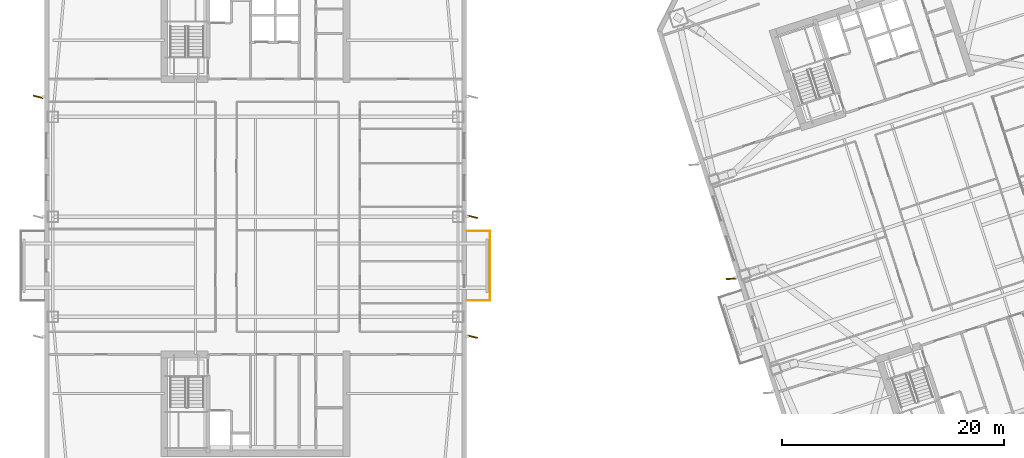
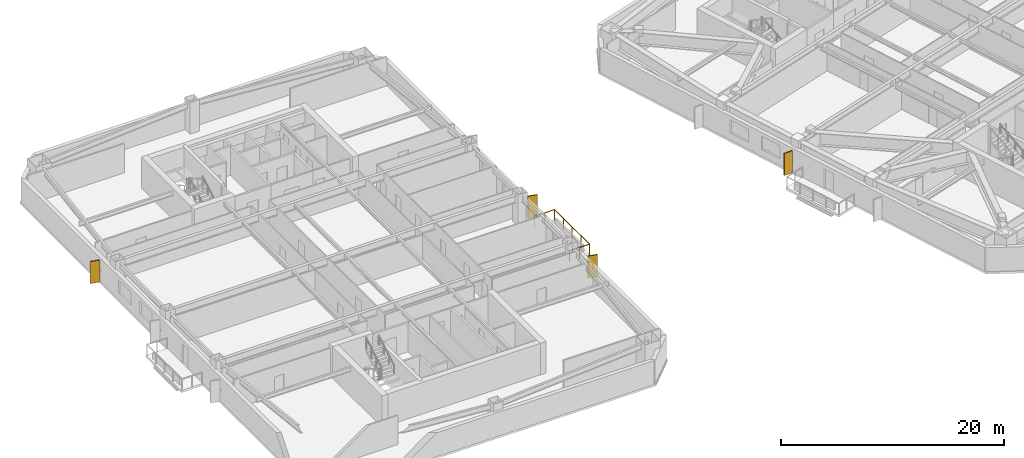
# One storey, part 14 of 17: 4 shading devices, 1 railing.
"""IFC4 building model written with IfcOpenShell, lengths in metres."""

import ifcopenshell
import ifcopenshell.guid

model = None  # the IFC model being written
_history = None  # IfcOwnerHistory: only IFC2X3 demands one
_inside = {}  # id of a spatial element -> (the spatial element, [elements in it])
_under = {}  # id of a project, library or spatial element -> (it, [spatial elements below it])
_declared = {}  # id of a project -> (the project, [libraries it declares])
_typed = {}  # id of a type object -> (the type object, [elements of that type])
_made_of = {}  # id of a material, layer set ... -> (it, [elements and type objects made of it])


def new_model(schema):
    """Start an empty IFC model of exactly this schema.

    Asked for "IFC4X3", IfcOpenShell would pick the latest addendum, in which some entities
    have other attributes; the version numbers below select the first issue.
    IFC2X3 requires an IfcOwnerHistory on every rooted entity: one is made here for all.
    """
    global model, _history
    if schema == "IFC4X3":
        model = ifcopenshell.file(schema_version=(4, 3, 0, 0))
    else:
        model = ifcopenshell.file(schema=schema)
    _inside.clear()
    _under.clear()
    _declared.clear()
    _typed.clear()
    _made_of.clear()
    _history = None
    if model.schema == "IFC2X3":
        org = make("IfcOrganization", Name="unknown")
        user = make(
            "IfcPersonAndOrganization",
            ThePerson=make("IfcPerson", FamilyName="unknown"),
            TheOrganization=org,
        )
        app = make(
            "IfcApplication",
            ApplicationDeveloper=org,
            Version="unknown",
            ApplicationFullName="unknown",
            ApplicationIdentifier="unknown",
        )
        _history = make(
            "IfcOwnerHistory",
            OwningUser=user,
            OwningApplication=app,
            ChangeAction="ADDED",
            CreationDate=0,
        )
    return model


def make(cls, **values):
    """One entity of the class cls with the attributes given. An attribute that is None is left unset."""
    return model.create_entity(
        cls, **{name: value for name, value in values.items() if value is not None}
    )


def rooted(cls, **values):
    """An entity with a GlobalId (a new one), such as an element, a storey or a relation."""
    return make(cls, GlobalId=ifcopenshell.guid.new(), OwnerHistory=_history, **values)


def si_unit(unit_type, name, prefix=None):
    """IfcSIUnit, for example si_unit("LENGTHUNIT", "METRE", prefix="MILLI")."""
    return make("IfcSIUnit", UnitType=unit_type, Prefix=prefix, Name=name)


def assignment(units):
    """IfcUnitAssignment: the units of a project."""
    return None if units is None else make("IfcUnitAssignment", Units=units)


def point(xyz):
    """IfcCartesianPoint."""
    return None if xyz is None else make("IfcCartesianPoint", Coordinates=xyz)


def direction(xyz):
    """IfcDirection."""
    return None if xyz is None else make("IfcDirection", DirectionRatios=xyz)


def frame(location, z_axis=None, x_axis=None):
    """IfcAxis2Placement3D, a coordinate frame: its origin and axes. An axis left out is left unset."""
    return make(
        "IfcAxis2Placement3D",
        Location=point(location),
        Axis=direction(z_axis),
        RefDirection=direction(x_axis),
    )


def frame_2d(location, x_axis=None):
    """IfcAxis2Placement2D, a coordinate frame in the plane: its origin and x axis."""
    return make(
        "IfcAxis2Placement2D", Location=point(location), RefDirection=direction(x_axis)
    )


def origin():
    """The frame at (0, 0, 0) with its axes left unset."""
    return frame((0.0, 0.0, 0.0))


def origin_2d():
    """The frame at (0, 0) in the plane with its x axis left unset."""
    return frame_2d((0.0, 0.0))


def place(relative_to, where):
    """IfcLocalPlacement: puts the frame where relative to a parent placement (None: the world)."""
    return make(
        "IfcLocalPlacement", PlacementRelTo=relative_to, RelativePlacement=where
    )


def context(
    kind, dimensions, precision=None, world=None, true_north=None, identifier=None
):
    """IfcGeometricRepresentationContext, for example the 3D "Model" context."""
    return make(
        "IfcGeometricRepresentationContext",
        ContextIdentifier=identifier,
        ContextType=kind,
        CoordinateSpaceDimension=dimensions,
        Precision=precision,
        WorldCoordinateSystem=world,
        TrueNorth=true_north,
    )


def subcontext(parent, identifier, kind, view, scale=None):
    """IfcGeometricRepresentationSubContext, for example "Body" below "Model"."""
    return make(
        "IfcGeometricRepresentationSubContext",
        ContextIdentifier=identifier,
        ContextType=kind,
        ParentContext=parent,
        TargetScale=scale,
        TargetView=view,
    )


def project(units=None, contexts=None):
    """IfcProject with its units and contexts."""
    return rooted(
        "IfcProject",
        Name="project",
        RepresentationContexts=contexts,
        UnitsInContext=assignment(units),
    )


def spatial(cls, under=None, at=None, **own):
    """A site, building, storey or space (cls), placed at a placement, below another one or the project."""
    s = rooted(cls, ObjectPlacement=at, **own)
    if under is not None:
        _under.setdefault(under.id(), (under, []))[1].append(s)
    return s


def profile(cls, at=None, kind="AREA", **sizes):
    """A parametric profile (cls). Its sizes go by their IFC names, for example OverallWidth=200.0."""
    return make(cls, ProfileType=kind, Position=at, **sizes)


def rectangle(**sizes):
    """IfcRectangleProfileDef."""
    return profile("IfcRectangleProfileDef", **sizes)


def circle(**sizes):
    """IfcCircleProfileDef."""
    return profile("IfcCircleProfileDef", **sizes)


def extrude(swept, where, along, depth):
    """IfcExtrudedAreaSolid: the profile swept, set in the frame where, extruded along a direction by depth."""
    return make(
        "IfcExtrudedAreaSolid",
        SweptArea=swept,
        Position=where,
        ExtrudedDirection=direction(along),
        Depth=depth,
    )


def shape(context_of_items, identifier, shape_type, items):
    """IfcShapeRepresentation: the items that make up one representation, for example the "Body"."""
    return make(
        "IfcShapeRepresentation",
        ContextOfItems=context_of_items,
        RepresentationIdentifier=identifier,
        RepresentationType=shape_type,
        Items=items,
    )


def material(Name=None, Category=None):
    """IfcMaterial."""
    return make("IfcMaterial", Name=Name, Category=Category)


def layer(
    of_material, thickness, ventilated=None, Name=None, Category=None, Priority=None
):
    """IfcMaterialLayer: one layer of a wall or slab, of a material (None: an air gap)."""
    return make(
        "IfcMaterialLayer",
        Material=of_material,
        LayerThickness=thickness,
        IsVentilated=ventilated,
        Name=Name,
        Category=Category,
        Priority=Priority,
    )


def layer_set(layers, Name=None):
    """IfcMaterialLayerSet."""
    return make("IfcMaterialLayerSet", MaterialLayers=layers, LayerSetName=Name)


def made_of(thing, what):
    """Note that an element or type object is made of a material, layer set ...; save() writes the relation."""
    if what is not None:
        _made_of.setdefault(what.id(), (what, []))[1].append(thing)
    return thing


def type_object(cls, material=None, **own):
    """A type object (cls), such as IfcWallType, which elements share."""
    return made_of(rooted(cls, **own), material)


def element(
    cls,
    number,
    at=None,
    inside=None,
    cuts=None,
    type_object=None,
    material=None,
    context=None,
    identifier="Body",
    shape_type=None,
    held_by="IfcProductDefinitionShape",
    body=None,
    shapes=None,
    **own,
):
    """One element of the class cls, such as IfcWall. Its Tag is "e" and its number.

    at: its placement. inside: the storey or other place that contains it. cuts: it is an
    opening in that element (IfcRelVoidsElement). A single representation is given by context,
    identifier, shape_type and body (its items); several are given by shapes. held_by: the class
    of the entity that holds the representations. save() writes the other relations.
    """
    e = rooted(cls, Tag="e%d" % number, ObjectPlacement=at, **own)
    if body is not None:
        shapes = [shape(context, identifier, shape_type, body)]
    if shapes is not None:
        e.Representation = make(held_by, Representations=shapes)
    if inside is not None:
        _inside.setdefault(inside.id(), (inside, []))[1].append(e)
    if cuts is not None:
        rooted(
            "IfcRelVoidsElement", RelatingBuildingElement=cuts, RelatedOpeningElement=e
        )
    if type_object is not None:
        _typed.setdefault(type_object.id(), (type_object, []))[1].append(e)
    return made_of(e, material)


def aggregate(whole, parts):
    """IfcRelAggregates: a whole, such as a stair, and the parts it consists of."""
    return rooted("IfcRelAggregates", RelatingObject=whole, RelatedObjects=parts)


def save(model, path):
    """Write the relations noted so far, then the file.

    IfcRelAggregates (storeys below a building ...), IfcRelContainedInSpatialStructure (elements
    in a storey), IfcRelDefinesByType, IfcRelAssociatesMaterial and IfcRelDeclares: one each for
    every whole, place, type object, material and project.
    """
    for whole, parts in _under.values():
        aggregate(whole, parts)
    for where, things in _inside.values():
        rooted(
            "IfcRelContainedInSpatialStructure",
            RelatedElements=things,
            RelatingStructure=where,
        )
    for kind, things in _typed.values():
        rooted("IfcRelDefinesByType", RelatedObjects=things, RelatingType=kind)
    for what, things in _made_of.values():
        rooted("IfcRelAssociatesMaterial", RelatedObjects=things, RelatingMaterial=what)
    for by, libraries in _declared.values():
        rooted("IfcRelDeclares", RelatingContext=by, RelatedDefinitions=libraries)
    model.write(path)


model = new_model("IFC4")

# Units and contexts
model_context = context("Model", 3, precision=1e-05, world=origin(), true_north=direction((0.0, 1.0)))
body_context = subcontext(model_context, "Body", "Model", "MODEL_VIEW")
ifc_project = project(units=[si_unit("LENGTHUNIT", "METRE"), si_unit("AREAUNIT", "SQUARE_METRE"), si_unit("VOLUMEUNIT", "CUBIC_METRE"), si_unit("PLANEANGLEUNIT", "RADIAN"), si_unit("MASSUNIT", "GRAM", prefix="KILO")], contexts=[model_context])

# Site, building, storey
site_placement = place(None, origin())
site = spatial("IfcSite", under=ifc_project, at=site_placement, CompositionType="ELEMENT")
building_placement = place(site_placement, origin())
building = spatial("IfcBuilding", under=site, at=building_placement, Name="Qiaolan Cultural Towers", CompositionType="ELEMENT")
storey_placement = place(building_placement, frame((0.0, 0.0, 131.10009765625)))
storey = spatial("IfcBuildingStorey", under=building, at=storey_placement, Name="L34", CompositionType="ELEMENT", Elevation=131.10009765625)

# Railing
ifc_material_1 = material(Name="Laminated SentryGlas & Stainless Steel S31608 Balustrade", Category="steel")
railing_type = type_object("IfcRailingType", Name="GRD-TERR-1200", PredefinedType="BALUSTRADE", material=ifc_material_1)
railing_placement = place(storey_placement, frame((49.050048828125, 26.47998046875, 0.0)))
element("IfcRailing", 1, at=railing_placement, inside=storey, type_object=railing_type, Name="L34 T1 Tree Balcony Guardrail E", PredefinedType="BALUSTRADE", context=body_context, shape_type="SweptSolid", body=[
    extrude(circle(Radius=0.02392578125, at=origin_2d()), frame((0.0, 0.0, 1.17578125), z_axis=(1.0, 0.0, 0.0), x_axis=(0.0, 1.0, 0.0)), (0.0, 0.0, 1.0), 2.070068359375),
    extrude(circle(Radius=0.02392578125, at=origin_2d()), frame((2.070068359375, 0.0, 1.17578125), z_axis=(0.0, 1.0, 0.0), x_axis=(-1.0, 0.0, 0.0)), (0.0, 0.0, 1.0), 6.239990234375),
    extrude(circle(Radius=0.02392578125, at=origin_2d()), frame((2.070068359375, 6.239990234375, 1.17578125), z_axis=(-1.0, 0.0, 0.0), x_axis=(0.0, -1.0, 0.0)), (0.0, 0.0, 1.0), 2.070068359375),
    extrude(circle(Radius=0.02099609375, at=origin_2d()), origin(), (0.0, 0.0, 1.0), 1.15185546875),
    extrude(circle(Radius=0.02099609375, at=origin_2d()), frame((1.03515625, 0.0, 0.0)), (0.0, 0.0, 1.0), 1.15185546875),
    extrude(circle(Radius=0.02099609375, at=origin_2d()), frame((2.070068359375, 0.0, 0.0)), (0.0, 0.0, 1.0), 1.15185546875),
    extrude(circle(Radius=0.02099609375, at=origin_2d()), frame((2.070068359375, 1.56005859375, 0.0)), (0.0, 0.0, 1.0), 1.15185546875),
    extrude(circle(Radius=0.02099609375, at=origin_2d()), frame((2.070068359375, 3.1201171875, 0.0)), (0.0, 0.0, 1.0), 1.15185546875),
    extrude(circle(Radius=0.02099609375, at=origin_2d()), frame((2.070068359375, 4.679931640625, 0.0)), (0.0, 0.0, 1.0), 1.15185546875),
    extrude(circle(Radius=0.02099609375, at=origin_2d()), frame((2.070068359375, 6.239990234375, 0.0)), (0.0, 0.0, 1.0), 1.15185546875),
    extrude(circle(Radius=0.02099609375, at=origin_2d()), frame((1.03515625, 6.239990234375, 0.0)), (0.0, 0.0, 1.0), 1.15185546875),
    extrude(circle(Radius=0.02099609375, at=origin_2d()), frame((0.0, 6.239990234375, 0.0)), (0.0, 0.0, 1.0), 1.15185546875),
])

# Shading devices
ifc_material_2 = material(Name="Pierced Warm Terracotta Acoustic Fin", Category="masonry")
ifc_layer = layer(ifc_material_2, 0.1201171875)
ifc_layer_set = layer_set([ifc_layer], Name="Pierced Warm Terracotta Acoustic Fin")
shading_device_type = type_object("IfcShadingDeviceType", Name="SHD-FIN-PIERCED", PredefinedType="USERDEFINED", material=ifc_layer_set)
for number, where, z_axis, x_axis, name in (
    (2, (10.43994140625, 44.800048828125, 0.10009765625), (0.0, 0.0, 1.0), (0.969891617581, -0.243536958479, 0.0), "L34 T1 Expressive Precast Vertical Fin W3"),
    (3, (49.56005859375, 23.199951171875, 0.10009765625), (0.0, 0.0, 1.0), (0.969891617581, -0.243536958479, 0.0), "L34 T1 Expressive Precast Vertical Fin E1"),
    (4, (49.56005859375, 34.0, 0.10009765625), (0.0, 0.0, 1.0), (0.969891617581, -0.243536958479, 0.0), "L34 T1 Expressive Precast Vertical Fin E2"),
    (5, (72.823974609375, 28.419189453125, 0.10009765625), (0.0, 0.0, 1.0), (0.997678801929, 0.068095581214, 0.0), "L34 T2 Expressive Precast Vertical Fin W2"),
):
    element("IfcShadingDevice", number, at=place(storey_placement, frame(where, z_axis=z_axis, x_axis=x_axis)), inside=storey, type_object=shading_device_type, Name=name, ObjectType="FIN", PredefinedType="USERDEFINED", context=body_context, shape_type="SweptSolid", body=[
        extrude(rectangle(XDim=0.89990234375, YDim=0.1201171875, at=origin_2d()), origin(), (0.0, 0.0, 1.0), 2.409912109375),
    ])

save(model, "model.ifc")
